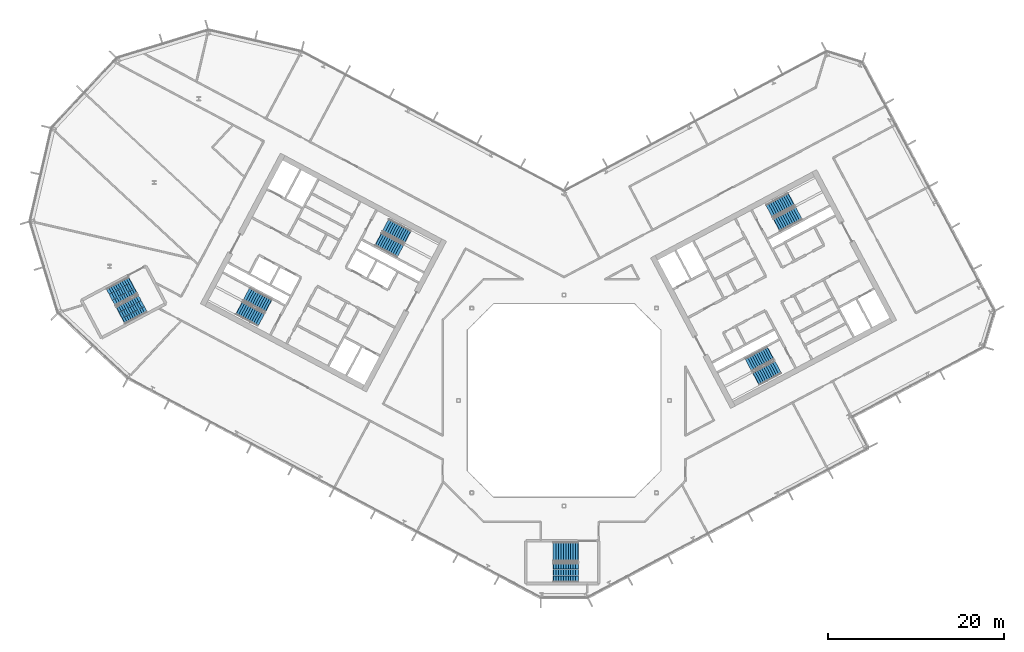
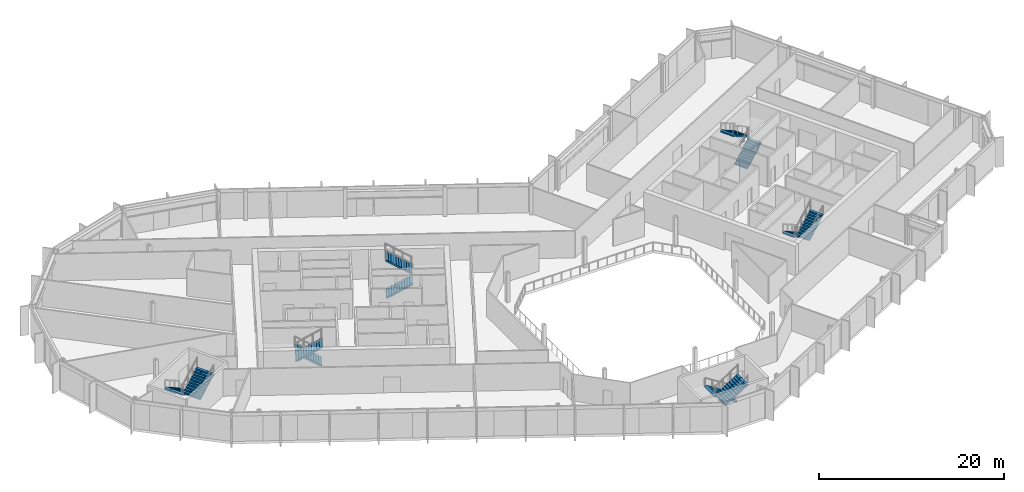
# One storey, part 17 of 26: 12 stair flights, 6 elements without a shape of their own.
"""IFC4 building model written with IfcOpenShell, lengths in metres."""

from ifc_helpers import new_model, si_unit, direction, frame, origin, place, context, subcontext, project, spatial, polyline, outline, extrude, material, type_object, element, aggregate, save


model = new_model("IFC4")

# Units and contexts
model_context = context("Model", 3, precision=1e-05, world=origin(), true_north=direction((0.0, 1.0)))
body_context = subcontext(model_context, "Body", "Model", "MODEL_VIEW")
ifc_project = project(units=[si_unit("LENGTHUNIT", "METRE"), si_unit("AREAUNIT", "SQUARE_METRE"), si_unit("VOLUMEUNIT", "CUBIC_METRE"), si_unit("PLANEANGLEUNIT", "RADIAN"), si_unit("MASSUNIT", "GRAM", prefix="KILO")], contexts=[model_context])

# Site, building, storey
site_placement = place(None, origin())
site = spatial("IfcSite", under=ifc_project, at=site_placement, CompositionType="ELEMENT")
building_placement = place(site_placement, origin())
building = spatial("IfcBuilding", under=site, at=building_placement, Name="Cormorant Relay Tower", CompositionType="ELEMENT")
storey_placement = place(building_placement, frame((0.0, 0.0, 197.39990234375)))
storey = spatial("IfcBuildingStorey", under=building, at=storey_placement, Name="L42", CompositionType="ELEMENT", Elevation=197.39990234375)

# Stair, stair flights
ifc_material_1 = material(Name="Concrete 40 MPa", Category="concrete")
stair_type_1 = type_object("IfcStairType", Name="Exit stair 1500", PredefinedType="HALF_TURN_STAIR", material=ifc_material_1)
stair_1_placement = place(storey_placement, origin())
stair_1 = element("IfcStair", 1, at=stair_1_placement, inside=storey, type_object=stair_type_1, Name="L42 Stair", PredefinedType="HALF_TURN_STAIR")
ifc_material_2 = material(Name="Concrete 40 MPa", Category="concrete")
stair_flight_type_1 = type_object("IfcStairFlightType", Name="Exit stair flight 1650", PredefinedType="STRAIGHT", material=ifc_material_2)
stair_flight_1_placement = place(storey_placement, frame((-21.114501953125, 18.33349609375, 0.0), z_axis=(0.0, 0.0, 1.0), x_axis=(0.882947592859, -0.469471562786, 0.0)))
stair_flight_1 = element("IfcStairFlight", 2, at=stair_flight_1_placement, type_object=stair_flight_type_1, Name="A1 flight 1", NumberOfRisers=11, NumberOfTreads=10, PredefinedType="STRAIGHT", RiserHeight=0.177272727, TreadLength=0.28, context=body_context, shape_type="SweptSolid", body=[
    extrude(outline(polyline([(-0.050048828125, -0.080078125), (-0.050048828125, 0.0), (0.0, 0.0), (0.0, 0.17724609375), (0.280029296875, 0.17724609375), (0.280029296875, 0.3544921875), (0.56005859375, 0.3544921875), (0.56005859375, 0.53173828125), (0.840087890625, 0.53173828125), (0.840087890625, 0.708984375), (1.1201171875, 0.708984375), (1.1201171875, 0.886474609375), (1.39990234375, 0.886474609375), (1.39990234375, 1.063720703125), (1.679931640625, 1.063720703125), (1.679931640625, 1.240966796875), (1.9599609375, 1.240966796875), (1.9599609375, 1.418212890625), (2.239990234375, 1.418212890625), (2.239990234375, 1.595458984375), (2.52001953125, 1.595458984375), (2.52001953125, 1.772705078125), (2.800048828125, 1.772705078125), (2.85009765625, 1.772705078125), (2.85009765625, 1.59521484375), (2.800048828125, 1.59521484375), (0.2802734375, 0.0), (-0.050048828125, -0.080078125)])), frame((0.0, 0.824951171875, 0.0), z_axis=(0.0, -1.0, 0.0), x_axis=(1.0, 0.0, 0.0)), (0.0, 0.0, 1.0), 1.64990234375),
])
stair_flight_2_placement = place(storey_placement, frame((-17.797119140625, 18.6083984375, 1.9501953125), z_axis=(0.0, 0.0, 1.0), x_axis=(-0.882947592859, 0.469471562786, 0.0)))
stair_flight_2 = element("IfcStairFlight", 3, at=stair_flight_2_placement, type_object=stair_flight_type_1, Name="A1 flight 2", NumberOfRisers=11, NumberOfTreads=10, PredefinedType="STRAIGHT", RiserHeight=0.177272727, TreadLength=0.28, context=body_context, shape_type="SweptSolid", body=[
    extrude(outline(polyline([(-0.050048828125, -0.080078125), (-0.050048828125, 0.0), (0.0, 0.0), (0.0, 0.17724609375), (0.280029296875, 0.17724609375), (0.280029296875, 0.3544921875), (0.56005859375, 0.3544921875), (0.56005859375, 0.53173828125), (0.840087890625, 0.53173828125), (0.840087890625, 0.708984375), (1.1201171875, 0.708984375), (1.1201171875, 0.886474609375), (1.39990234375, 0.886474609375), (1.39990234375, 1.063720703125), (1.679931640625, 1.063720703125), (1.679931640625, 1.240966796875), (1.9599609375, 1.240966796875), (1.9599609375, 1.418212890625), (2.239990234375, 1.418212890625), (2.239990234375, 1.595458984375), (2.52001953125, 1.595458984375), (2.52001953125, 1.772705078125), (2.800048828125, 1.772705078125), (2.85009765625, 1.772705078125), (2.85009765625, 1.59521484375), (2.800048828125, 1.59521484375), (0.2802734375, 0.0), (-0.050048828125, -0.080078125)])), frame((0.0, 0.824951171875, 0.0), z_axis=(0.0, -1.0, 0.0), x_axis=(1.0, 0.0, 0.0)), (0.0, 0.0, 1.0), 1.64990234375),
])
aggregate(stair_1, [stair_flight_1, stair_flight_2])

stair_2_placement = place(storey_placement, origin())
stair_2 = element("IfcStair", 4, at=stair_2_placement, inside=storey, type_object=stair_type_1, Name="L42 Stair", PredefinedType="HALF_TURN_STAIR")
stair_flight_3_placement = place(storey_placement, frame((-33.62841796875, 10.773681640625, 0.0), z_axis=(0.0, 0.0, 1.0), x_axis=(-0.882947592859, 0.469471562786, 0.0)))
stair_flight_3 = element("IfcStairFlight", 5, at=stair_flight_3_placement, type_object=stair_flight_type_1, Name="A2 flight 1", NumberOfRisers=11, NumberOfTreads=10, PredefinedType="STRAIGHT", RiserHeight=0.177272727, TreadLength=0.28, context=body_context, shape_type="SweptSolid", body=[
    extrude(outline(polyline([(-0.050048828125, -0.080078125), (-0.050048828125, 0.0), (0.0, 0.0), (0.0, 0.17724609375), (0.280029296875, 0.17724609375), (0.280029296875, 0.3544921875), (0.56005859375, 0.3544921875), (0.56005859375, 0.53173828125), (0.840087890625, 0.53173828125), (0.840087890625, 0.708984375), (1.1201171875, 0.708984375), (1.1201171875, 0.886474609375), (1.39990234375, 0.886474609375), (1.39990234375, 1.063720703125), (1.679931640625, 1.063720703125), (1.679931640625, 1.240966796875), (1.9599609375, 1.240966796875), (1.9599609375, 1.418212890625), (2.239990234375, 1.418212890625), (2.239990234375, 1.595458984375), (2.52001953125, 1.595458984375), (2.52001953125, 1.772705078125), (2.800048828125, 1.772705078125), (2.85009765625, 1.772705078125), (2.85009765625, 1.59521484375), (2.800048828125, 1.59521484375), (0.2802734375, 0.0), (-0.050048828125, -0.080078125)])), frame((0.0, 0.824951171875, 0.0), z_axis=(0.0, -1.0, 0.0), x_axis=(1.0, 0.0, 0.0)), (0.0, 0.0, 1.0), 1.64990234375),
])
stair_flight_4_placement = place(storey_placement, frame((-36.945556640625, 10.498779296875, 1.9501953125), z_axis=(0.0, 0.0, 1.0), x_axis=(0.882947592859, -0.469471562786, 0.0)))
stair_flight_4 = element("IfcStairFlight", 6, at=stair_flight_4_placement, type_object=stair_flight_type_1, Name="A2 flight 2", NumberOfRisers=11, NumberOfTreads=10, PredefinedType="STRAIGHT", RiserHeight=0.177272727, TreadLength=0.28, context=body_context, shape_type="SweptSolid", body=[
    extrude(outline(polyline([(-0.050048828125, -0.080078125), (-0.050048828125, 0.0), (0.0, 0.0), (0.0, 0.17724609375), (0.280029296875, 0.17724609375), (0.280029296875, 0.3544921875), (0.56005859375, 0.3544921875), (0.56005859375, 0.53173828125), (0.840087890625, 0.53173828125), (0.840087890625, 0.708984375), (1.1201171875, 0.708984375), (1.1201171875, 0.886474609375), (1.39990234375, 0.886474609375), (1.39990234375, 1.063720703125), (1.679931640625, 1.063720703125), (1.679931640625, 1.240966796875), (1.9599609375, 1.240966796875), (1.9599609375, 1.418212890625), (2.239990234375, 1.418212890625), (2.239990234375, 1.595458984375), (2.52001953125, 1.595458984375), (2.52001953125, 1.772705078125), (2.800048828125, 1.772705078125), (2.85009765625, 1.772705078125), (2.85009765625, 1.59521484375), (2.800048828125, 1.59521484375), (0.2802734375, 0.0), (-0.050048828125, -0.080078125)])), frame((0.0, 0.824951171875, 0.0), z_axis=(0.0, -1.0, 0.0), x_axis=(1.0, 0.0, 0.0)), (0.0, 0.0, 1.0), 1.64990234375),
])
aggregate(stair_2, [stair_flight_3, stair_flight_4])

stair_3_placement = place(storey_placement, origin())
stair_3 = element("IfcStair", 7, at=stair_3_placement, inside=storey, type_object=stair_type_1, Name="L42 Stair", PredefinedType="HALF_TURN_STAIR")
stair_flight_5_placement = place(storey_placement, frame((23.474365234375, 5.374755859375, 0.0), z_axis=(0.0, 0.0, 1.0), x_axis=(-0.882947592859, -0.469471562786, 0.0)))
stair_flight_5 = element("IfcStairFlight", 8, at=stair_flight_5_placement, type_object=stair_flight_type_1, Name="B1 flight 1", NumberOfRisers=11, NumberOfTreads=10, PredefinedType="STRAIGHT", RiserHeight=0.177272727, TreadLength=0.28, context=body_context, shape_type="SweptSolid", body=[
    extrude(outline(polyline([(-0.050048828125, -0.080078125), (-0.050048828125, 0.0), (0.0, 0.0), (0.0, 0.17724609375), (0.280029296875, 0.17724609375), (0.280029296875, 0.3544921875), (0.56005859375, 0.3544921875), (0.56005859375, 0.53173828125), (0.840087890625, 0.53173828125), (0.840087890625, 0.708984375), (1.1201171875, 0.708984375), (1.1201171875, 0.886474609375), (1.39990234375, 0.886474609375), (1.39990234375, 1.063720703125), (1.679931640625, 1.063720703125), (1.679931640625, 1.240966796875), (1.9599609375, 1.240966796875), (1.9599609375, 1.418212890625), (2.239990234375, 1.418212890625), (2.239990234375, 1.595458984375), (2.52001953125, 1.595458984375), (2.52001953125, 1.772705078125), (2.800048828125, 1.772705078125), (2.85009765625, 1.772705078125), (2.85009765625, 1.59521484375), (2.800048828125, 1.59521484375), (0.2802734375, 0.0), (-0.050048828125, -0.080078125)])), frame((0.0, 0.824951171875, 0.0), z_axis=(0.0, -1.0, 0.0), x_axis=(1.0, 0.0, 0.0)), (0.0, 0.0, 1.0), 1.64990234375),
])
stair_flight_6_placement = place(storey_placement, frame((21.84716796875, 2.470947265625, 1.9501953125), z_axis=(0.0, 0.0, 1.0), x_axis=(0.882947592859, 0.469471562786, 0.0)))
stair_flight_6 = element("IfcStairFlight", 9, at=stair_flight_6_placement, type_object=stair_flight_type_1, Name="B1 flight 2", NumberOfRisers=11, NumberOfTreads=10, PredefinedType="STRAIGHT", RiserHeight=0.177272727, TreadLength=0.28, context=body_context, shape_type="SweptSolid", body=[
    extrude(outline(polyline([(-0.050048828125, -0.080078125), (-0.050048828125, 0.0), (0.0, 0.0), (0.0, 0.17724609375), (0.280029296875, 0.17724609375), (0.280029296875, 0.3544921875), (0.56005859375, 0.3544921875), (0.56005859375, 0.53173828125), (0.840087890625, 0.53173828125), (0.840087890625, 0.708984375), (1.1201171875, 0.708984375), (1.1201171875, 0.886474609375), (1.39990234375, 0.886474609375), (1.39990234375, 1.063720703125), (1.679931640625, 1.063720703125), (1.679931640625, 1.240966796875), (1.9599609375, 1.240966796875), (1.9599609375, 1.418212890625), (2.239990234375, 1.418212890625), (2.239990234375, 1.595458984375), (2.52001953125, 1.595458984375), (2.52001953125, 1.772705078125), (2.800048828125, 1.772705078125), (2.85009765625, 1.772705078125), (2.85009765625, 1.59521484375), (2.800048828125, 1.59521484375), (0.2802734375, 0.0), (-0.050048828125, -0.080078125)])), frame((0.0, 0.824951171875, 0.0), z_axis=(0.0, -1.0, 0.0), x_axis=(1.0, 0.0, 0.0)), (0.0, 0.0, 1.0), 1.64990234375),
])
aggregate(stair_3, [stair_flight_5, stair_flight_6])

stair_4_placement = place(storey_placement, origin())
stair_4 = element("IfcStair", 10, at=stair_4_placement, inside=storey, type_object=stair_type_1, Name="L42 Stair", PredefinedType="HALF_TURN_STAIR")
stair_flight_7_placement = place(storey_placement, frame((24.20458984375, 19.976806640625, 0.0), z_axis=(0.0, 0.0, 1.0), x_axis=(0.882947592859, 0.469471562786, 0.0)))
stair_flight_7 = element("IfcStairFlight", 11, at=stair_flight_7_placement, type_object=stair_flight_type_1, Name="B2 flight 1", NumberOfRisers=11, NumberOfTreads=10, PredefinedType="STRAIGHT", RiserHeight=0.177272727, TreadLength=0.28, context=body_context, shape_type="SweptSolid", body=[
    extrude(outline(polyline([(-0.050048828125, -0.080078125), (-0.050048828125, 0.0), (0.0, 0.0), (0.0, 0.17724609375), (0.280029296875, 0.17724609375), (0.280029296875, 0.3544921875), (0.56005859375, 0.3544921875), (0.56005859375, 0.53173828125), (0.840087890625, 0.53173828125), (0.840087890625, 0.708984375), (1.1201171875, 0.708984375), (1.1201171875, 0.886474609375), (1.39990234375, 0.886474609375), (1.39990234375, 1.063720703125), (1.679931640625, 1.063720703125), (1.679931640625, 1.240966796875), (1.9599609375, 1.240966796875), (1.9599609375, 1.418212890625), (2.239990234375, 1.418212890625), (2.239990234375, 1.595458984375), (2.52001953125, 1.595458984375), (2.52001953125, 1.772705078125), (2.800048828125, 1.772705078125), (2.85009765625, 1.772705078125), (2.85009765625, 1.59521484375), (2.800048828125, 1.59521484375), (0.2802734375, 0.0), (-0.050048828125, -0.080078125)])), frame((0.0, 0.824951171875, 0.0), z_axis=(0.0, -1.0, 0.0), x_axis=(1.0, 0.0, 0.0)), (0.0, 0.0, 1.0), 1.64990234375),
])
stair_flight_8_placement = place(storey_placement, frame((25.831787109375, 22.880615234375, 1.9501953125), z_axis=(0.0, 0.0, 1.0), x_axis=(-0.882947592859, -0.469471562786, 0.0)))
stair_flight_8 = element("IfcStairFlight", 12, at=stair_flight_8_placement, type_object=stair_flight_type_1, Name="B2 flight 2", NumberOfRisers=11, NumberOfTreads=10, PredefinedType="STRAIGHT", RiserHeight=0.177272727, TreadLength=0.28, context=body_context, shape_type="SweptSolid", body=[
    extrude(outline(polyline([(-0.050048828125, -0.080078125), (-0.050048828125, 0.0), (0.0, 0.0), (0.0, 0.17724609375), (0.280029296875, 0.17724609375), (0.280029296875, 0.3544921875), (0.56005859375, 0.3544921875), (0.56005859375, 0.53173828125), (0.840087890625, 0.53173828125), (0.840087890625, 0.708984375), (1.1201171875, 0.708984375), (1.1201171875, 0.886474609375), (1.39990234375, 0.886474609375), (1.39990234375, 1.063720703125), (1.679931640625, 1.063720703125), (1.679931640625, 1.240966796875), (1.9599609375, 1.240966796875), (1.9599609375, 1.418212890625), (2.239990234375, 1.418212890625), (2.239990234375, 1.595458984375), (2.52001953125, 1.595458984375), (2.52001953125, 1.772705078125), (2.800048828125, 1.772705078125), (2.85009765625, 1.772705078125), (2.85009765625, 1.59521484375), (2.800048828125, 1.59521484375), (0.2802734375, 0.0), (-0.050048828125, -0.080078125)])), frame((0.0, 0.824951171875, 0.0), z_axis=(0.0, -1.0, 0.0), x_axis=(1.0, 0.0, 0.0)), (0.0, 0.0, 1.0), 1.64990234375),
])
aggregate(stair_4, [stair_flight_7, stair_flight_8])

ifc_material_3 = material(Name="Concrete 40 MPa", Category="concrete")
stair_type_2 = type_object("IfcStairType", Name="Remote exit stair 2200", PredefinedType="HALF_TURN_STAIR", material=ifc_material_3)
stair_5_placement = place(storey_placement, origin())
stair_5 = element("IfcStair", 13, at=stair_5_placement, inside=storey, type_object=stair_type_2, Name="L42 Stair", PredefinedType="HALF_TURN_STAIR")
ifc_material_4 = material(Name="Concrete 40 MPa", Category="concrete")
stair_flight_type_2 = type_object("IfcStairFlightType", Name="Remote exit stair flight 2200", PredefinedType="STRAIGHT", material=ifc_material_4)
stair_flight_9_placement = place(storey_placement, frame((1.60009765625, -17.22509765625, 0.0), z_axis=(0.0, 0.0, 1.0), x_axis=(-1.0, 0.0, 0.0)))
stair_flight_9 = element("IfcStairFlight", 14, at=stair_flight_9_placement, type_object=stair_flight_type_2, Name="RK1 flight 1", NumberOfRisers=11, NumberOfTreads=10, PredefinedType="STRAIGHT", RiserHeight=0.177272727, TreadLength=0.28, context=body_context, shape_type="SweptSolid", body=[
    extrude(outline(polyline([(-0.050048828125, -0.080078125), (-0.050048828125, 0.0), (0.0, 0.0), (0.0, 0.17724609375), (0.280029296875, 0.17724609375), (0.280029296875, 0.3544921875), (0.56005859375, 0.3544921875), (0.56005859375, 0.53173828125), (0.840087890625, 0.53173828125), (0.840087890625, 0.708984375), (1.1201171875, 0.708984375), (1.1201171875, 0.886474609375), (1.39990234375, 0.886474609375), (1.39990234375, 1.063720703125), (1.679931640625, 1.063720703125), (1.679931640625, 1.240966796875), (1.9599609375, 1.240966796875), (1.9599609375, 1.418212890625), (2.239990234375, 1.418212890625), (2.239990234375, 1.595458984375), (2.52001953125, 1.595458984375), (2.52001953125, 1.772705078125), (2.800048828125, 1.772705078125), (2.85009765625, 1.772705078125), (2.85009765625, 1.59521484375), (2.800048828125, 1.59521484375), (0.2802734375, 0.0), (-0.050048828125, -0.080078125)])), frame((0.0, 1.10009765625, 0.0), z_axis=(0.0, -1.0, 0.0), x_axis=(1.0, 0.0, 0.0)), (0.0, 0.0, 1.0), 0.719970703125),
    extrude(outline(polyline([(-0.050048828125, -0.080078125), (-0.050048828125, 0.0), (0.0, 0.0), (0.0, 0.17724609375), (0.280029296875, 0.17724609375), (0.280029296875, 0.3544921875), (0.56005859375, 0.3544921875), (0.56005859375, 0.53173828125), (0.840087890625, 0.53173828125), (0.840087890625, 0.708984375), (1.1201171875, 0.708984375), (1.1201171875, 0.886474609375), (1.39990234375, 0.886474609375), (1.39990234375, 1.063720703125), (1.679931640625, 1.063720703125), (1.679931640625, 1.240966796875), (1.9599609375, 1.240966796875), (1.9599609375, 1.418212890625), (2.239990234375, 1.418212890625), (2.239990234375, 1.595458984375), (2.52001953125, 1.595458984375), (2.52001953125, 1.772705078125), (2.800048828125, 1.772705078125), (2.85009765625, 1.772705078125), (2.85009765625, 1.59521484375), (2.800048828125, 1.59521484375), (0.2802734375, 0.0), (-0.050048828125, -0.080078125)])), frame((0.0, 0.360107421875, 0.0), z_axis=(0.0, -1.0, 0.0), x_axis=(1.0, 0.0, 0.0)), (0.0, 0.0, 1.0), 0.719970703125),
    extrude(outline(polyline([(-0.050048828125, -0.080078125), (-0.050048828125, 0.0), (0.0, 0.0), (0.0, 0.17724609375), (0.280029296875, 0.17724609375), (0.280029296875, 0.3544921875), (0.56005859375, 0.3544921875), (0.56005859375, 0.53173828125), (0.840087890625, 0.53173828125), (0.840087890625, 0.708984375), (1.1201171875, 0.708984375), (1.1201171875, 0.886474609375), (1.39990234375, 0.886474609375), (1.39990234375, 1.063720703125), (1.679931640625, 1.063720703125), (1.679931640625, 1.240966796875), (1.9599609375, 1.240966796875), (1.9599609375, 1.418212890625), (2.239990234375, 1.418212890625), (2.239990234375, 1.595458984375), (2.52001953125, 1.595458984375), (2.52001953125, 1.772705078125), (2.800048828125, 1.772705078125), (2.85009765625, 1.772705078125), (2.85009765625, 1.59521484375), (2.800048828125, 1.59521484375), (0.2802734375, 0.0), (-0.050048828125, -0.080078125)])), frame((0.0, -0.3798828125, 0.0), z_axis=(0.0, -1.0, 0.0), x_axis=(1.0, 0.0, 0.0)), (0.0, 0.0, 1.0), 0.719970703125),
])
stair_flight_10_placement = place(storey_placement, frame((-1.199951171875, -19.574951171875, 1.9501953125), z_axis=(0.0, 0.0, 1.0), x_axis=(1.0, 0.0, 0.0)))
stair_flight_10 = element("IfcStairFlight", 15, at=stair_flight_10_placement, type_object=stair_flight_type_2, Name="RK1 flight 2", NumberOfRisers=11, NumberOfTreads=10, PredefinedType="STRAIGHT", RiserHeight=0.177272727, TreadLength=0.28, context=body_context, shape_type="SweptSolid", body=[
    extrude(outline(polyline([(-0.050048828125, -0.080078125), (-0.050048828125, 0.0), (0.0, 0.0), (0.0, 0.17724609375), (0.280029296875, 0.17724609375), (0.280029296875, 0.3544921875), (0.56005859375, 0.3544921875), (0.56005859375, 0.53173828125), (0.840087890625, 0.53173828125), (0.840087890625, 0.708984375), (1.1201171875, 0.708984375), (1.1201171875, 0.886474609375), (1.39990234375, 0.886474609375), (1.39990234375, 1.063720703125), (1.679931640625, 1.063720703125), (1.679931640625, 1.240966796875), (1.9599609375, 1.240966796875), (1.9599609375, 1.418212890625), (2.239990234375, 1.418212890625), (2.239990234375, 1.595458984375), (2.52001953125, 1.595458984375), (2.52001953125, 1.772705078125), (2.800048828125, 1.772705078125), (2.85009765625, 1.772705078125), (2.85009765625, 1.59521484375), (2.800048828125, 1.59521484375), (0.2802734375, 0.0), (-0.050048828125, -0.080078125)])), frame((0.0, 1.10009765625, 0.0), z_axis=(0.0, -1.0, 0.0), x_axis=(1.0, 0.0, 0.0)), (0.0, 0.0, 1.0), 0.719970703125),
    extrude(outline(polyline([(-0.050048828125, -0.080078125), (-0.050048828125, 0.0), (0.0, 0.0), (0.0, 0.17724609375), (0.280029296875, 0.17724609375), (0.280029296875, 0.3544921875), (0.56005859375, 0.3544921875), (0.56005859375, 0.53173828125), (0.840087890625, 0.53173828125), (0.840087890625, 0.708984375), (1.1201171875, 0.708984375), (1.1201171875, 0.886474609375), (1.39990234375, 0.886474609375), (1.39990234375, 1.063720703125), (1.679931640625, 1.063720703125), (1.679931640625, 1.240966796875), (1.9599609375, 1.240966796875), (1.9599609375, 1.418212890625), (2.239990234375, 1.418212890625), (2.239990234375, 1.595458984375), (2.52001953125, 1.595458984375), (2.52001953125, 1.772705078125), (2.800048828125, 1.772705078125), (2.85009765625, 1.772705078125), (2.85009765625, 1.59521484375), (2.800048828125, 1.59521484375), (0.2802734375, 0.0), (-0.050048828125, -0.080078125)])), frame((0.0, 0.360107421875, 0.0), z_axis=(0.0, -1.0, 0.0), x_axis=(1.0, 0.0, 0.0)), (0.0, 0.0, 1.0), 0.719970703125),
    extrude(outline(polyline([(-0.050048828125, -0.080078125), (-0.050048828125, 0.0), (0.0, 0.0), (0.0, 0.17724609375), (0.280029296875, 0.17724609375), (0.280029296875, 0.3544921875), (0.56005859375, 0.3544921875), (0.56005859375, 0.53173828125), (0.840087890625, 0.53173828125), (0.840087890625, 0.708984375), (1.1201171875, 0.708984375), (1.1201171875, 0.886474609375), (1.39990234375, 0.886474609375), (1.39990234375, 1.063720703125), (1.679931640625, 1.063720703125), (1.679931640625, 1.240966796875), (1.9599609375, 1.240966796875), (1.9599609375, 1.418212890625), (2.239990234375, 1.418212890625), (2.239990234375, 1.595458984375), (2.52001953125, 1.595458984375), (2.52001953125, 1.772705078125), (2.800048828125, 1.772705078125), (2.85009765625, 1.772705078125), (2.85009765625, 1.59521484375), (2.800048828125, 1.59521484375), (0.2802734375, 0.0), (-0.050048828125, -0.080078125)])), frame((0.0, -0.3798828125, 0.0), z_axis=(0.0, -1.0, 0.0), x_axis=(1.0, 0.0, 0.0)), (0.0, 0.0, 1.0), 0.719970703125),
])
aggregate(stair_5, [stair_flight_9, stair_flight_10])

stair_6_placement = place(storey_placement, origin())
stair_6 = element("IfcStair", 16, at=stair_6_placement, inside=storey, type_object=stair_type_2, Name="L42 Stair", PredefinedType="HALF_TURN_STAIR")
stair_flight_11_placement = place(storey_placement, frame((-49.062255859375, 13.08251953125, 0.0), z_axis=(0.0, 0.0, 1.0), x_axis=(-0.882947502727, -0.4694717323, 0.0)))
stair_flight_11 = element("IfcStairFlight", 17, at=stair_flight_11_placement, type_object=stair_flight_type_2, Name="RP1 flight 1", NumberOfRisers=11, NumberOfTreads=10, PredefinedType="STRAIGHT", RiserHeight=0.177272727, TreadLength=0.28, context=body_context, shape_type="SweptSolid", body=[
    extrude(outline(polyline([(-0.050048828125, -0.080078125), (-0.050048828125, 0.0), (0.0, 0.0), (0.0, 0.17724609375), (0.280029296875, 0.17724609375), (0.280029296875, 0.3544921875), (0.56005859375, 0.3544921875), (0.56005859375, 0.53173828125), (0.840087890625, 0.53173828125), (0.840087890625, 0.708984375), (1.1201171875, 0.708984375), (1.1201171875, 0.886474609375), (1.39990234375, 0.886474609375), (1.39990234375, 1.063720703125), (1.679931640625, 1.063720703125), (1.679931640625, 1.240966796875), (1.9599609375, 1.240966796875), (1.9599609375, 1.418212890625), (2.239990234375, 1.418212890625), (2.239990234375, 1.595458984375), (2.52001953125, 1.595458984375), (2.52001953125, 1.772705078125), (2.800048828125, 1.772705078125), (2.85009765625, 1.772705078125), (2.85009765625, 1.59521484375), (2.800048828125, 1.59521484375), (0.2802734375, 0.0), (-0.050048828125, -0.080078125)])), frame((0.0, 1.10009765625, 0.0), z_axis=(0.0, -1.0, 0.0), x_axis=(1.0, 0.0, 0.0)), (0.0, 0.0, 1.0), 0.719970703125),
    extrude(outline(polyline([(-0.050048828125, -0.080078125), (-0.050048828125, 0.0), (0.0, 0.0), (0.0, 0.17724609375), (0.280029296875, 0.17724609375), (0.280029296875, 0.3544921875), (0.56005859375, 0.3544921875), (0.56005859375, 0.53173828125), (0.840087890625, 0.53173828125), (0.840087890625, 0.708984375), (1.1201171875, 0.708984375), (1.1201171875, 0.886474609375), (1.39990234375, 0.886474609375), (1.39990234375, 1.063720703125), (1.679931640625, 1.063720703125), (1.679931640625, 1.240966796875), (1.9599609375, 1.240966796875), (1.9599609375, 1.418212890625), (2.239990234375, 1.418212890625), (2.239990234375, 1.595458984375), (2.52001953125, 1.595458984375), (2.52001953125, 1.772705078125), (2.800048828125, 1.772705078125), (2.85009765625, 1.772705078125), (2.85009765625, 1.59521484375), (2.800048828125, 1.59521484375), (0.2802734375, 0.0), (-0.050048828125, -0.080078125)])), frame((0.0, 0.360107421875, 0.0), z_axis=(0.0, -1.0, 0.0), x_axis=(1.0, 0.0, 0.0)), (0.0, 0.0, 1.0), 0.719970703125),
    extrude(outline(polyline([(-0.050048828125, -0.080078125), (-0.050048828125, 0.0), (0.0, 0.0), (0.0, 0.17724609375), (0.280029296875, 0.17724609375), (0.280029296875, 0.3544921875), (0.56005859375, 0.3544921875), (0.56005859375, 0.53173828125), (0.840087890625, 0.53173828125), (0.840087890625, 0.708984375), (1.1201171875, 0.708984375), (1.1201171875, 0.886474609375), (1.39990234375, 0.886474609375), (1.39990234375, 1.063720703125), (1.679931640625, 1.063720703125), (1.679931640625, 1.240966796875), (1.9599609375, 1.240966796875), (1.9599609375, 1.418212890625), (2.239990234375, 1.418212890625), (2.239990234375, 1.595458984375), (2.52001953125, 1.595458984375), (2.52001953125, 1.772705078125), (2.800048828125, 1.772705078125), (2.85009765625, 1.772705078125), (2.85009765625, 1.59521484375), (2.800048828125, 1.59521484375), (0.2802734375, 0.0), (-0.050048828125, -0.080078125)])), frame((0.0, -0.3798828125, 0.0), z_axis=(0.0, -1.0, 0.0), x_axis=(1.0, 0.0, 0.0)), (0.0, 0.0, 1.0), 0.719970703125),
])
stair_flight_12_placement = place(storey_placement, frame((-50.431396484375, 9.693115234375, 1.9501953125), z_axis=(0.0, 0.0, 1.0), x_axis=(0.882947502727, 0.4694717323, 0.0)))
stair_flight_12 = element("IfcStairFlight", 18, at=stair_flight_12_placement, type_object=stair_flight_type_2, Name="RP1 flight 2", NumberOfRisers=11, NumberOfTreads=10, PredefinedType="STRAIGHT", RiserHeight=0.177272727, TreadLength=0.28, context=body_context, shape_type="SweptSolid", body=[
    extrude(outline(polyline([(-0.050048828125, -0.080078125), (-0.050048828125, 0.0), (0.0, 0.0), (0.0, 0.17724609375), (0.280029296875, 0.17724609375), (0.280029296875, 0.3544921875), (0.56005859375, 0.3544921875), (0.56005859375, 0.53173828125), (0.840087890625, 0.53173828125), (0.840087890625, 0.708984375), (1.1201171875, 0.708984375), (1.1201171875, 0.886474609375), (1.39990234375, 0.886474609375), (1.39990234375, 1.063720703125), (1.679931640625, 1.063720703125), (1.679931640625, 1.240966796875), (1.9599609375, 1.240966796875), (1.9599609375, 1.418212890625), (2.239990234375, 1.418212890625), (2.239990234375, 1.595458984375), (2.52001953125, 1.595458984375), (2.52001953125, 1.772705078125), (2.800048828125, 1.772705078125), (2.85009765625, 1.772705078125), (2.85009765625, 1.59521484375), (2.800048828125, 1.59521484375), (0.2802734375, 0.0), (-0.050048828125, -0.080078125)])), frame((0.0, 1.10009765625, 0.0), z_axis=(0.0, -1.0, 0.0), x_axis=(1.0, 0.0, 0.0)), (0.0, 0.0, 1.0), 0.719970703125),
    extrude(outline(polyline([(-0.050048828125, -0.080078125), (-0.050048828125, 0.0), (0.0, 0.0), (0.0, 0.17724609375), (0.280029296875, 0.17724609375), (0.280029296875, 0.3544921875), (0.56005859375, 0.3544921875), (0.56005859375, 0.53173828125), (0.840087890625, 0.53173828125), (0.840087890625, 0.708984375), (1.1201171875, 0.708984375), (1.1201171875, 0.886474609375), (1.39990234375, 0.886474609375), (1.39990234375, 1.063720703125), (1.679931640625, 1.063720703125), (1.679931640625, 1.240966796875), (1.9599609375, 1.240966796875), (1.9599609375, 1.418212890625), (2.239990234375, 1.418212890625), (2.239990234375, 1.595458984375), (2.52001953125, 1.595458984375), (2.52001953125, 1.772705078125), (2.800048828125, 1.772705078125), (2.85009765625, 1.772705078125), (2.85009765625, 1.59521484375), (2.800048828125, 1.59521484375), (0.2802734375, 0.0), (-0.050048828125, -0.080078125)])), frame((0.0, 0.360107421875, 0.0), z_axis=(0.0, -1.0, 0.0), x_axis=(1.0, 0.0, 0.0)), (0.0, 0.0, 1.0), 0.719970703125),
    extrude(outline(polyline([(-0.050048828125, -0.080078125), (-0.050048828125, 0.0), (0.0, 0.0), (0.0, 0.17724609375), (0.280029296875, 0.17724609375), (0.280029296875, 0.3544921875), (0.56005859375, 0.3544921875), (0.56005859375, 0.53173828125), (0.840087890625, 0.53173828125), (0.840087890625, 0.708984375), (1.1201171875, 0.708984375), (1.1201171875, 0.886474609375), (1.39990234375, 0.886474609375), (1.39990234375, 1.063720703125), (1.679931640625, 1.063720703125), (1.679931640625, 1.240966796875), (1.9599609375, 1.240966796875), (1.9599609375, 1.418212890625), (2.239990234375, 1.418212890625), (2.239990234375, 1.595458984375), (2.52001953125, 1.595458984375), (2.52001953125, 1.772705078125), (2.800048828125, 1.772705078125), (2.85009765625, 1.772705078125), (2.85009765625, 1.59521484375), (2.800048828125, 1.59521484375), (0.2802734375, 0.0), (-0.050048828125, -0.080078125)])), frame((0.0, -0.3798828125, 0.0), z_axis=(0.0, -1.0, 0.0), x_axis=(1.0, 0.0, 0.0)), (0.0, 0.0, 1.0), 0.719970703125),
])
aggregate(stair_6, [stair_flight_11, stair_flight_12])

save(model, "model.ifc")
